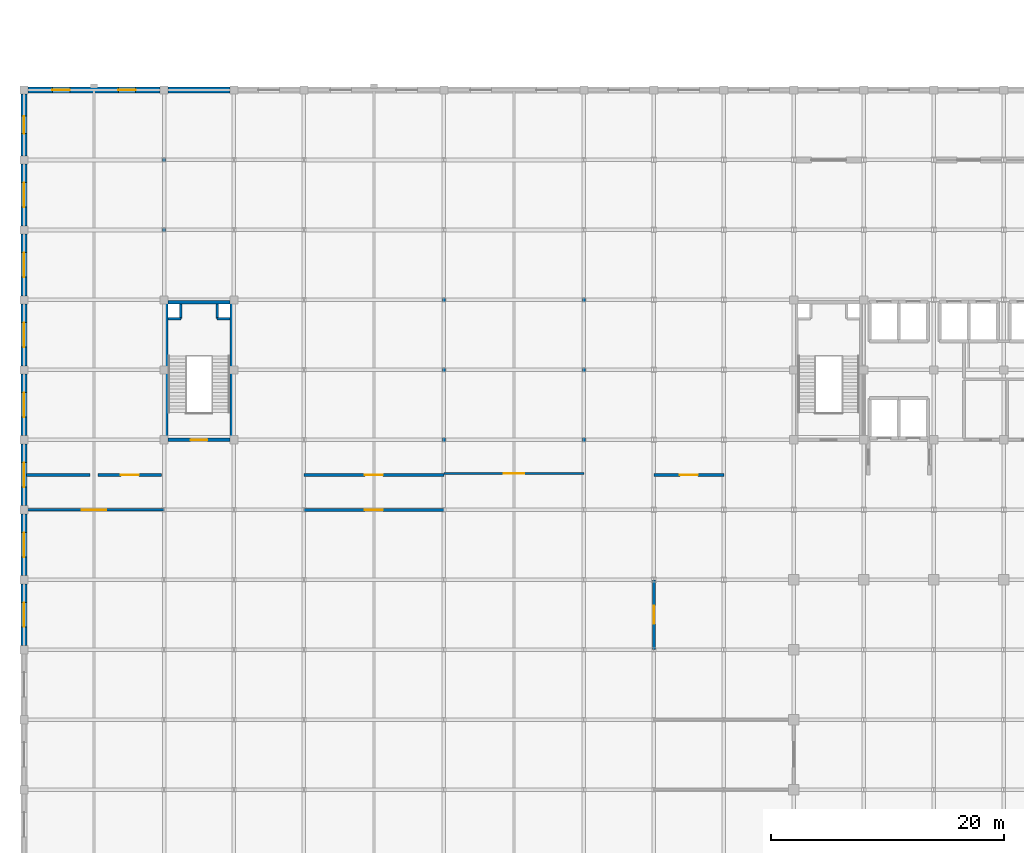
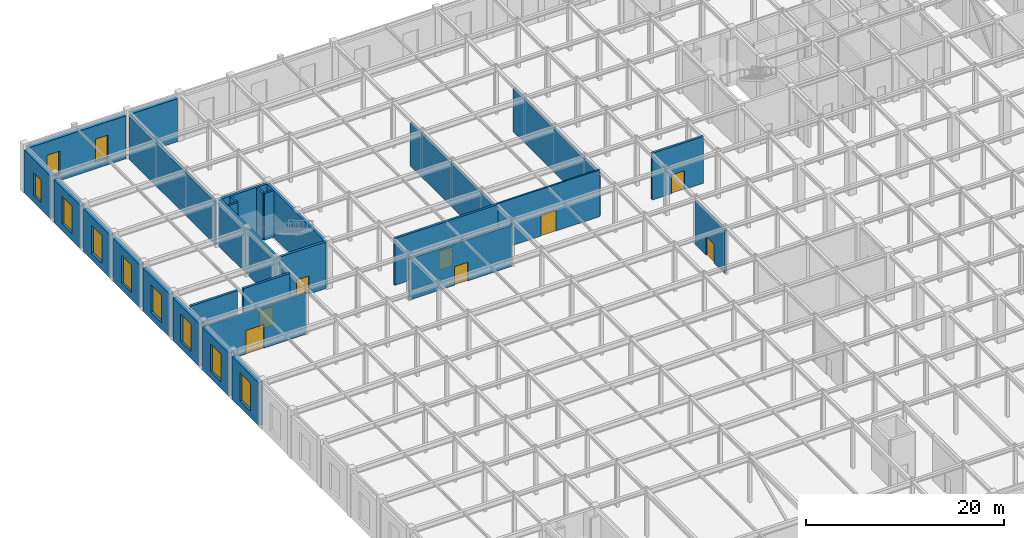
# One storey, part 43 of 51: 29 walls, 10 windows, 8 doors, 18 openings.
"""IFC4 building model written with IfcOpenShell, lengths in metres."""

from ifc_helpers import new_model, si_unit, direction, frame, frame_2d, origin, place, context, subcontext, project, spatial, rectangle, extrude, material, layer, layer_set, type_object, element, fill, save


model = new_model("IFC4")

# Units and contexts
model_context = context("Model", 3, precision=1e-05, world=origin(), true_north=direction((0.0, 1.0)))
body_context = subcontext(model_context, "Body", "Model", "MODEL_VIEW")
ifc_project = project(units=[si_unit("LENGTHUNIT", "METRE"), si_unit("AREAUNIT", "SQUARE_METRE"), si_unit("VOLUMEUNIT", "CUBIC_METRE"), si_unit("PLANEANGLEUNIT", "RADIAN"), si_unit("MASSUNIT", "GRAM", prefix="KILO")], contexts=[model_context])

# Site, building, storey
site_placement = place(None, origin())
site = spatial("IfcSite", under=ifc_project, at=site_placement, CompositionType="ELEMENT")
building_placement = place(site_placement, origin())
building = spatial("IfcBuilding", under=site, at=building_placement, Name="Zlatovratsky Civic Hall", CompositionType="ELEMENT")
storey_placement = place(building_placement, origin())
storey = spatial("IfcBuildingStorey", under=building, at=storey_placement, Name="L01", CompositionType="ELEMENT", Elevation=0.0)

# Wall, opening, door
ifc_material_1 = material(Name="Acoustic ceramic blockwork", Category="masonry")
ifc_layer_1 = layer(ifc_material_1, 0.179931640625)
ifc_layer_set_1 = layer_set([ifc_layer_1], Name="Acoustic ceramic blockwork")
wall_type_1 = type_object("IfcWallType", Name="Wall_AcousticChamberPartition_180", PredefinedType="PARTITIONING", material=ifc_layer_set_1)
wall_1_placement = place(storey_placement, frame((0.0, 78.0, 0.0), z_axis=(0.0, 0.0, 1.0), x_axis=(1.0, 0.0, 0.0)))
wall_1 = element("IfcWall", 1, at=wall_1_placement, inside=storey, type_object=wall_type_1, Name="WL-6069", PredefinedType="PARTITIONING", context=body_context, shape_type="SweptSolid", body=[
    extrude(rectangle(XDim=12.0, YDim=0.179931640625, at=frame_2d((6.0, 0.0))), origin(), (0.0, 0.0, 1.0), 5.076904296875),
])
opening_1_placement = place(wall_1_placement, frame((4.949951171875, 0.0, 0.0)))
opening_1 = element("IfcOpeningElement", 2, at=opening_1_placement, cuts=wall_1, Name="Opening D-11", PredefinedType="OPENING", context=body_context, shape_type="SweptSolid", body=[
    extrude(rectangle(XDim=2.10009765625, YDim=2.89990234375, at=frame_2d((1.050048828125, 1.449951171875))), frame((0.0, 0.10498046875, 0.0), z_axis=(0.0, -1.0, 0.0), x_axis=(1.0, 0.0, 0.0)), (0.0, 0.0, 1.0), 0.209716796875),
])
ifc_material_2 = material(Name="Solid oak joinery in steel frame", Category="steel")
door_type_1 = type_object("IfcDoorType", Name="Door_ChamberFoyerDouble_2100x2900", OperationType="DOUBLE_DOOR_SINGLE_SWING", PredefinedType="DOOR", material=ifc_material_2)
door_1_placement = place(opening_1_placement, origin())
door_1 = element("IfcDoor", 3, at=door_1_placement, inside=storey, type_object=door_type_1, Name="DR-5230", OperationType="DOUBLE_DOOR_SINGLE_SWING", OverallHeight=2.89990234375, OverallWidth=2.10009765625, PredefinedType="DOOR", context=body_context, shape_type="SweptSolid", body=[
    extrude(rectangle(XDim=2.10009765625, YDim=2.89990234375, at=frame_2d((1.050048828125, 1.449951171875))), frame((0.0, 0.02490234375, 0.0), z_axis=(0.0, -1.0, 0.0), x_axis=(1.0, 0.0, 0.0)), (0.0, 0.0, 1.0), 0.050048828125),
])
fill(opening_1, door_1)

wall_2_placement = place(storey_placement, frame((36.0, 81.10009765625, 0.0), z_axis=(0.0, 0.0, 1.0), x_axis=(1.0, 0.0, 0.0)))
wall_2 = element("IfcWall", 4, at=wall_2_placement, inside=storey, type_object=wall_type_1, Name="WL-6071", PredefinedType="PARTITIONING", context=body_context, shape_type="SweptSolid", body=[
    extrude(rectangle(XDim=12.0, YDim=0.179931640625, at=frame_2d((6.0, 0.0))), origin(), (0.0, 0.0, 1.0), 5.760009765625),
])
opening_2_placement = place(wall_2_placement, frame((5.125, 0.0, 0.0)))
opening_2 = element("IfcOpeningElement", 5, at=opening_2_placement, cuts=wall_2, Name="Opening D-13", PredefinedType="OPENING", context=body_context, shape_type="SweptSolid", body=[
    extrude(rectangle(XDim=1.75, YDim=2.550048828125, at=frame_2d((0.875, 1.27490234375))), frame((0.0, 0.10498046875, 0.0), z_axis=(0.0, -1.0, 0.0), x_axis=(1.0, 0.0, 0.0)), (0.0, 0.0, 1.0), 0.209716796875),
])
door_type_2 = type_object("IfcDoorType", Name="Door_CommitteeSuiteDouble_1750x2550", OperationType="DOUBLE_DOOR_SINGLE_SWING", PredefinedType="DOOR", material=ifc_material_2)
door_2_placement = place(opening_2_placement, origin())
door_2 = element("IfcDoor", 6, at=door_2_placement, inside=storey, type_object=door_type_2, Name="DR-5232", OperationType="DOUBLE_DOOR_SINGLE_SWING", OverallHeight=2.550048828125, OverallWidth=1.75, PredefinedType="DOOR", context=body_context, shape_type="SweptSolid", body=[
    extrude(rectangle(XDim=1.75, YDim=2.550048828125, at=frame_2d((0.875, 1.27490234375))), frame((0.0, 0.02490234375, 0.0), z_axis=(0.0, -1.0, 0.0), x_axis=(1.0, 0.0, 0.0)), (0.0, 0.0, 1.0), 0.050048828125),
])
fill(opening_2, door_2)

ifc_layer_2 = layer(ifc_material_1, 0.260009765625)
ifc_layer_set_2 = layer_set([ifc_layer_2], Name="Acoustic ceramic blockwork")
wall_type_2 = type_object("IfcWallType", Name="Wall_ArchiveCompartment_260", PredefinedType="PARTITIONING", material=ifc_layer_set_2)
wall_3_placement = place(storey_placement, frame((24.0, 78.0, 0.0), z_axis=(0.0, 0.0, 1.0), x_axis=(1.0, 0.0, 0.0)))
wall_3 = element("IfcWall", 7, at=wall_3_placement, inside=storey, type_object=wall_type_2, Name="WL-6076", PredefinedType="PARTITIONING", context=body_context, shape_type="SweptSolid", body=[
    extrude(rectangle(XDim=12.0, YDim=0.260009765625, at=frame_2d((6.0, 0.0))), origin(), (0.0, 0.0, 1.0), 5.076904296875),
])
opening_3_placement = place(wall_3_placement, frame((5.22509765625, 0.0, 0.0)))
opening_3 = element("IfcOpeningElement", 8, at=opening_3_placement, cuts=wall_3, Name="Opening D-15", PredefinedType="OPENING", context=body_context, shape_type="SweptSolid", body=[
    extrude(rectangle(XDim=1.550048828125, YDim=2.300048828125, at=frame_2d((0.77490234375, 1.14990234375))), frame((0.0, 0.14501953125, 0.0), z_axis=(0.0, -1.0, 0.0), x_axis=(1.0, 0.0, 0.0)), (0.0, 0.0, 1.0), 0.289794921875),
])
ifc_material_3 = material(Name="Insulated painted fire-rated steel leaf", Category="steel")
door_type_3 = type_object("IfcDoorType", Name="Door_CompactArchiveFire_1550x2300", OperationType="DOUBLE_DOOR_SINGLE_SWING", PredefinedType="DOOR", material=ifc_material_3)
door_3_placement = place(opening_3_placement, origin())
door_3 = element("IfcDoor", 9, at=door_3_placement, inside=storey, type_object=door_type_3, Name="DR-5237", OperationType="DOUBLE_DOOR_SINGLE_SWING", OverallHeight=2.300048828125, OverallWidth=1.550048828125, PredefinedType="DOOR", context=body_context, shape_type="SweptSolid", body=[
    extrude(rectangle(XDim=1.550048828125, YDim=2.300048828125, at=frame_2d((0.77490234375, 1.14990234375))), frame((0.0, 0.02490234375, 0.0), z_axis=(0.0, -1.0, 0.0), x_axis=(1.0, 0.0, 0.0)), (0.0, 0.0, 1.0), 0.050048828125),
])
fill(opening_3, door_3)

wall_4_placement = place(storey_placement, frame((24.0, 81.0, 0.0), z_axis=(0.0, 0.0, 1.0), x_axis=(1.0, 0.0, 0.0)))
wall_4 = element("IfcWall", 10, at=wall_4_placement, inside=storey, type_object=wall_type_2, Name="WL-6078", PredefinedType="PARTITIONING", context=body_context, shape_type="SweptSolid", body=[
    extrude(rectangle(XDim=12.0, YDim=0.260009765625, at=frame_2d((6.0, 0.0))), origin(), (0.0, 0.0, 1.0), 5.760009765625),
])
opening_4_placement = place(wall_4_placement, frame((5.22509765625, 0.0, 0.0)))
opening_4 = element("IfcOpeningElement", 11, at=opening_4_placement, cuts=wall_4, Name="Opening D-15", PredefinedType="OPENING", context=body_context, shape_type="SweptSolid", body=[
    extrude(rectangle(XDim=1.550048828125, YDim=2.300048828125, at=frame_2d((0.77490234375, 1.14990234375))), frame((0.0, 0.14501953125, 0.0), z_axis=(0.0, -1.0, 0.0), x_axis=(1.0, 0.0, 0.0)), (0.0, 0.0, 1.0), 0.289794921875),
])
door_4_placement = place(opening_4_placement, origin())
door_4 = element("IfcDoor", 12, at=door_4_placement, inside=storey, type_object=door_type_3, Name="DR-5239", OperationType="DOUBLE_DOOR_SINGLE_SWING", OverallHeight=2.300048828125, OverallWidth=1.550048828125, PredefinedType="DOOR", context=body_context, shape_type="SweptSolid", body=[
    extrude(rectangle(XDim=1.550048828125, YDim=2.300048828125, at=frame_2d((0.77490234375, 1.14990234375))), frame((0.0, 0.02490234375, 0.0), z_axis=(0.0, -1.0, 0.0), x_axis=(1.0, 0.0, 0.0)), (0.0, 0.0, 1.0), 0.050048828125),
])
fill(opening_4, door_4)

wall_5_placement = place(storey_placement, frame((54.0, 81.0, 0.0), z_axis=(0.0, 0.0, 1.0), x_axis=(1.0, 0.0, 0.0)))
wall_5 = element("IfcWall", 13, at=wall_5_placement, inside=storey, type_object=wall_type_2, Name="WL-6079", PredefinedType="PARTITIONING", context=body_context, shape_type="SweptSolid", body=[
    extrude(rectangle(XDim=6.0, YDim=0.260009765625, at=frame_2d((3.0, 0.0))), origin(), (0.0, 0.0, 1.0), 5.760009765625),
])
opening_5_placement = place(wall_5_placement, frame((2.22509765625, 0.0, 0.0)))
opening_5 = element("IfcOpeningElement", 14, at=opening_5_placement, cuts=wall_5, Name="Opening D-15", PredefinedType="OPENING", context=body_context, shape_type="SweptSolid", body=[
    extrude(rectangle(XDim=1.550048828125, YDim=2.300048828125, at=frame_2d((0.77490234375, 1.14990234375))), frame((0.0, 0.14501953125, 0.0), z_axis=(0.0, -1.0, 0.0), x_axis=(1.0, 0.0, 0.0)), (0.0, 0.0, 1.0), 0.289794921875),
])
door_5_placement = place(opening_5_placement, origin())
door_5 = element("IfcDoor", 15, at=door_5_placement, inside=storey, type_object=door_type_3, Name="DR-5240", OperationType="DOUBLE_DOOR_SINGLE_SWING", OverallHeight=2.300048828125, OverallWidth=1.550048828125, PredefinedType="DOOR", context=body_context, shape_type="SweptSolid", body=[
    extrude(rectangle(XDim=1.550048828125, YDim=2.300048828125, at=frame_2d((0.77490234375, 1.14990234375))), frame((0.0, 0.02490234375, 0.0), z_axis=(0.0, -1.0, 0.0), x_axis=(1.0, 0.0, 0.0)), (0.0, 0.0, 1.0), 0.050048828125),
])
fill(opening_5, door_5)

wall_6_placement = place(storey_placement, frame((54.0, 66.0, 0.0), z_axis=(0.0, 0.0, 1.0), x_axis=(0.0, 1.0, 0.0)))
wall_6 = element("IfcWall", 16, at=wall_6_placement, inside=storey, type_object=wall_type_2, Name="WL-6083", PredefinedType="PARTITIONING", context=body_context, shape_type="SweptSolid", body=[
    extrude(rectangle(XDim=6.0, YDim=0.260009765625, at=frame_2d((3.0, 0.0))), origin(), (0.0, 0.0, 1.0), 5.320068359375),
])
opening_6_placement = place(wall_6_placement, frame((2.22509765625, 0.0, 0.0)))
opening_6 = element("IfcOpeningElement", 17, at=opening_6_placement, cuts=wall_6, Name="Opening D-15", PredefinedType="OPENING", context=body_context, shape_type="SweptSolid", body=[
    extrude(rectangle(XDim=1.550048828125, YDim=2.300048828125, at=frame_2d((0.77490234375, 1.14990234375))), frame((0.0, 0.14501953125, 0.0), z_axis=(0.0, -1.0, 0.0), x_axis=(1.0, 0.0, 0.0)), (0.0, 0.0, 1.0), 0.289794921875),
])
door_6_placement = place(opening_6_placement, origin())
door_6 = element("IfcDoor", 18, at=door_6_placement, inside=storey, type_object=door_type_3, Name="DR-5244", OperationType="DOUBLE_DOOR_SINGLE_SWING", OverallHeight=2.300048828125, OverallWidth=1.550048828125, PredefinedType="DOOR", context=body_context, shape_type="SweptSolid", body=[
    extrude(rectangle(XDim=1.550048828125, YDim=2.300048828125, at=frame_2d((0.77490234375, 1.14990234375))), frame((0.0, 0.02490234375, 0.0), z_axis=(0.0, -1.0, 0.0), x_axis=(1.0, 0.0, 0.0)), (0.0, 0.0, 1.0), 0.050048828125),
])
fill(opening_6, door_6)

wall_7_placement = place(storey_placement, frame((6.35009765625, 81.0, 0.0), z_axis=(0.0, 0.0, 1.0), x_axis=(1.0, 0.0, 0.0)))
wall_7 = element("IfcWall", 19, at=wall_7_placement, inside=storey, type_object=wall_type_2, Name="WL-6086", PredefinedType="PARTITIONING", context=body_context, shape_type="SweptSolid", body=[
    extrude(rectangle(XDim=5.449951171875, YDim=0.260009765625, at=frame_2d((2.72509765625, 0.0))), origin(), (0.0, 0.0, 1.0), 5.760009765625),
])
opening_7_placement = place(wall_7_placement, frame((1.949951171875, 0.0, 0.0)))
opening_7 = element("IfcOpeningElement", 20, at=opening_7_placement, cuts=wall_7, Name="Opening D-15", PredefinedType="OPENING", context=body_context, shape_type="SweptSolid", body=[
    extrude(rectangle(XDim=1.550048828125, YDim=2.300048828125, at=frame_2d((0.77490234375, 1.14990234375))), frame((0.0, 0.14501953125, 0.0), z_axis=(0.0, -1.0, 0.0), x_axis=(1.0, 0.0, 0.0)), (0.0, 0.0, 1.0), 0.289794921875),
])
door_7_placement = place(opening_7_placement, origin())
door_7 = element("IfcDoor", 21, at=door_7_placement, inside=storey, type_object=door_type_3, Name="DR-5247", OperationType="DOUBLE_DOOR_SINGLE_SWING", OverallHeight=2.300048828125, OverallWidth=1.550048828125, PredefinedType="DOOR", context=body_context, shape_type="SweptSolid", body=[
    extrude(rectangle(XDim=1.550048828125, YDim=2.300048828125, at=frame_2d((0.77490234375, 1.14990234375))), frame((0.0, 0.02490234375, 0.0), z_axis=(0.0, -1.0, 0.0), x_axis=(1.0, 0.0, 0.0)), (0.0, 0.0, 1.0), 0.050048828125),
])
fill(opening_7, door_7)

# Walls
for number, where, z_axis, x_axis, name in (
    (22, (36.0, 81.14990234375, 0.0), (0.0, 0.0, 1.0), (0.0, 1.0, 0.0), "WL-6091"),
    (23, (48.0, 81.14990234375, 0.0), (0.0, 0.0, 1.0), (0.0, 1.0, 0.0), "WL-6092"),
):
    element("IfcWall", number, at=place(storey_placement, frame(where, z_axis=z_axis, x_axis=x_axis)), inside=storey, type_object=wall_type_2, Name=name, PredefinedType="PARTITIONING", context=body_context, shape_type="SweptSolid", body=[
        extrude(rectangle(XDim=17.2001953125, YDim=0.260009765625, at=frame_2d((8.60009765625, 0.0))), origin(), (0.0, 0.0, 1.0), 5.320068359375),
    ])
wall_8_placement = place(storey_placement, frame((0.199951171875, 81.0, 0.0), z_axis=(0.0, 0.0, 1.0), x_axis=(1.0, 0.0, 0.0)))
element("IfcWall", 24, at=wall_8_placement, inside=storey, type_object=wall_type_2, Name="WL-6099", PredefinedType="PARTITIONING", context=body_context, shape_type="SweptSolid", body=[
    extrude(rectangle(XDim=5.449951171875, YDim=0.260009765625, at=frame_2d((2.72509765625, 0.0))), origin(), (0.0, 0.0, 1.0), 5.760009765625),
])
wall_9_placement = place(storey_placement, frame((12.0, 96.199951171875, 0.0), z_axis=(0.0, 0.0, 1.0), x_axis=(0.0, 1.0, 0.0)))
element("IfcWall", 25, at=wall_9_placement, inside=storey, type_object=wall_type_2, Name="WL-6101", PredefinedType="PARTITIONING", context=body_context, shape_type="SweptSolid", body=[
    extrude(rectangle(XDim=17.300048828125, YDim=0.260009765625, at=frame_2d((8.64990234375, 0.0))), origin(), (0.0, 0.0, 1.0), 5.320068359375),
])

# Wall, openings, windows
ifc_layer_3 = layer(ifc_material_1, 0.39990234375, Name="Backing")
ifc_material_4 = material(Name="Polished Karelian granite ashlar", Category="masonry")
ifc_layer_4 = layer(ifc_material_4, 0.139892578125, Name="Finish")
ifc_layer_set_3 = layer_set([ifc_layer_3, ifc_layer_4], Name="Acoustic ceramic blockwork")
wall_type_3 = type_object("IfcWallType", Name="Wall_PodiumGraniteArcade_540", PredefinedType="SOLIDWALL", material=ifc_layer_set_3)
wall_10_placement = place(storey_placement, frame((0.35009765625, 114.0, 0.0), z_axis=(0.0, 0.0, 1.0), x_axis=(1.0, 0.0, 0.0)))
wall_10 = element("IfcWall", 26, at=wall_10_placement, inside=storey, type_object=wall_type_3, Name="WL-0104", PredefinedType="SOLIDWALL", context=body_context, shape_type="SweptSolid", body=[
    extrude(rectangle(XDim=11.2998046875, YDim=0.5400390625, at=frame_2d((5.64990234375, 0.0))), origin(), (0.0, 0.0, 1.0), 5.31005859375),
])
opening_8_placement = place(wall_10_placement, frame((2.074951171875, 0.0, 0.85009765625)))
opening_8 = element("IfcOpeningElement", 27, at=opening_8_placement, cuts=wall_10, Name="Opening WN-27", PredefinedType="OPENING", context=body_context, shape_type="SweptSolid", body=[
    extrude(rectangle(XDim=1.5, YDim=2.800048828125, at=frame_2d((0.75, 1.39990234375))), frame((0.0, 0.284912109375, 0.0), z_axis=(0.0, -1.0, 0.0), x_axis=(1.0, 0.0, 0.0)), (0.0, 0.0, 1.0), 0.56982421875),
])
opening_9_placement = place(wall_10_placement, frame((7.72509765625, 0.0, 0.85009765625)))
opening_9 = element("IfcOpeningElement", 28, at=opening_9_placement, cuts=wall_10, Name="Opening WN-27", PredefinedType="OPENING", context=body_context, shape_type="SweptSolid", body=[
    extrude(rectangle(XDim=1.5, YDim=2.800048828125, at=frame_2d((0.75, 1.39990234375))), frame((0.0, 0.284912109375, 0.0), z_axis=(0.0, -1.0, 0.0), x_axis=(1.0, 0.0, 0.0)), (0.0, 0.0, 1.0), 0.56982421875),
])
ifc_material_5 = material(Name="Low-E laminated double glazing", Category="glass")
window_type_1 = type_object("IfcWindowType", Name="Window_CornerBastionPodium_1500x2800", PartitioningType="SINGLE_PANEL", PredefinedType="WINDOW", material=ifc_material_5)
window_1_placement = place(opening_8_placement, origin())
window_1 = element("IfcWindow", 29, at=window_1_placement, inside=storey, type_object=window_type_1, Name="WN-0019", OverallHeight=2.800048828125, OverallWidth=1.5, PartitioningType="SINGLE_PANEL", PredefinedType="WINDOW", context=body_context, shape_type="SweptSolid", body=[
    extrude(rectangle(XDim=1.5, YDim=2.800048828125, at=frame_2d((0.75, 1.39990234375))), frame((0.0, 0.030029296875, 0.0), z_axis=(0.0, -1.0, 0.0), x_axis=(1.0, 0.0, 0.0)), (0.0, 0.0, 1.0), 0.06005859375),
])
fill(opening_8, window_1)
window_2_placement = place(opening_9_placement, origin())
window_2 = element("IfcWindow", 30, at=window_2_placement, inside=storey, type_object=window_type_1, Name="WN-0020", OverallHeight=2.800048828125, OverallWidth=1.5, PartitioningType="SINGLE_PANEL", PredefinedType="WINDOW", context=body_context, shape_type="SweptSolid", body=[
    extrude(rectangle(XDim=1.5, YDim=2.800048828125, at=frame_2d((0.75, 1.39990234375))), frame((0.0, 0.030029296875, 0.0), z_axis=(0.0, -1.0, 0.0), x_axis=(1.0, 0.0, 0.0)), (0.0, 0.0, 1.0), 0.06005859375),
])
fill(opening_9, window_2)

# Wall
wall_11_placement = place(storey_placement, frame((12.35009765625, 114.0, 0.0), z_axis=(0.0, 0.0, 1.0), x_axis=(1.0, 0.0, 0.0)))
element("IfcWall", 31, at=wall_11_placement, inside=storey, type_object=wall_type_3, Name="WL-0105", PredefinedType="SOLIDWALL", context=body_context, shape_type="SweptSolid", body=[
    extrude(rectangle(XDim=5.2998046875, YDim=0.5400390625, at=frame_2d((2.64990234375, 0.0))), origin(), (0.0, 0.0, 1.0), 5.31005859375),
])

# Wall, opening, window
wall_12_placement = place(storey_placement, frame((0.0, 66.35009765625, 0.0), z_axis=(0.0, 0.0, 1.0), x_axis=(0.0, 1.0, 0.0)))
wall_12 = element("IfcWall", 32, at=wall_12_placement, inside=storey, type_object=wall_type_3, Name="WL-0142", PredefinedType="SOLIDWALL", context=body_context, shape_type="SweptSolid", body=[
    extrude(rectangle(XDim=5.2998046875, YDim=0.5400390625, at=frame_2d((2.64990234375, 0.0))), origin(), (0.0, 0.0, 1.0), 5.31005859375),
])
opening_10_placement = place(wall_12_placement, frame((1.60009765625, 0.0, 0.85009765625)))
opening_10 = element("IfcOpeningElement", 33, at=opening_10_placement, cuts=wall_12, Name="Opening WN-02", PredefinedType="OPENING", context=body_context, shape_type="SweptSolid", body=[
    extrude(rectangle(XDim=2.10009765625, YDim=3.39990234375, at=frame_2d((1.050048828125, 1.699951171875))), frame((0.0, 0.284912109375, 0.0), z_axis=(0.0, -1.0, 0.0), x_axis=(1.0, 0.0, 0.0)), (0.0, 0.0, 1.0), 0.56982421875),
])
window_type_2 = type_object("IfcWindowType", Name="Window_GroundCornerPavilion_2100x3400", PartitioningType="SINGLE_PANEL", PredefinedType="WINDOW", material=ifc_material_5)
window_3_placement = place(opening_10_placement, origin())
window_3 = element("IfcWindow", 34, at=window_3_placement, inside=storey, type_object=window_type_2, Name="WN-0050", OverallHeight=3.39990234375, OverallWidth=2.10009765625, PartitioningType="SINGLE_PANEL", PredefinedType="WINDOW", context=body_context, shape_type="SweptSolid", body=[
    extrude(rectangle(XDim=2.10009765625, YDim=3.39990234375, at=frame_2d((1.050048828125, 1.699951171875))), frame((0.0, 0.030029296875, 0.0), z_axis=(0.0, -1.0, 0.0), x_axis=(1.0, 0.0, 0.0)), (0.0, 0.0, 1.0), 0.06005859375),
])
fill(opening_10, window_3)

wall_13_placement = place(storey_placement, frame((0.0, 72.35009765625, 0.0), z_axis=(0.0, 0.0, 1.0), x_axis=(0.0, 1.0, 0.0)))
wall_13 = element("IfcWall", 35, at=wall_13_placement, inside=storey, type_object=wall_type_3, Name="WL-0143", PredefinedType="SOLIDWALL", context=body_context, shape_type="SweptSolid", body=[
    extrude(rectangle(XDim=5.2998046875, YDim=0.5400390625, at=frame_2d((2.64990234375, 0.0))), origin(), (0.0, 0.0, 1.0), 5.31005859375),
])
opening_11_placement = place(wall_13_placement, frame((1.60009765625, 0.0, 0.85009765625)))
opening_11 = element("IfcOpeningElement", 36, at=opening_11_placement, cuts=wall_13, Name="Opening WN-02", PredefinedType="OPENING", context=body_context, shape_type="SweptSolid", body=[
    extrude(rectangle(XDim=2.10009765625, YDim=3.39990234375, at=frame_2d((1.050048828125, 1.699951171875))), frame((0.0, 0.284912109375, 0.0), z_axis=(0.0, -1.0, 0.0), x_axis=(1.0, 0.0, 0.0)), (0.0, 0.0, 1.0), 0.56982421875),
])
window_4_placement = place(opening_11_placement, origin())
window_4 = element("IfcWindow", 37, at=window_4_placement, inside=storey, type_object=window_type_2, Name="WN-0051", OverallHeight=3.39990234375, OverallWidth=2.10009765625, PartitioningType="SINGLE_PANEL", PredefinedType="WINDOW", context=body_context, shape_type="SweptSolid", body=[
    extrude(rectangle(XDim=2.10009765625, YDim=3.39990234375, at=frame_2d((1.050048828125, 1.699951171875))), frame((0.0, 0.030029296875, 0.0), z_axis=(0.0, -1.0, 0.0), x_axis=(1.0, 0.0, 0.0)), (0.0, 0.0, 1.0), 0.06005859375),
])
fill(opening_11, window_4)

wall_14_placement = place(storey_placement, frame((0.0, 78.35009765625, 0.0), z_axis=(0.0, 0.0, 1.0), x_axis=(0.0, 1.0, 0.0)))
wall_14 = element("IfcWall", 38, at=wall_14_placement, inside=storey, type_object=wall_type_3, Name="WL-0144", PredefinedType="SOLIDWALL", context=body_context, shape_type="SweptSolid", body=[
    extrude(rectangle(XDim=5.2998046875, YDim=0.5400390625, at=frame_2d((2.64990234375, 0.0))), origin(), (0.0, 0.0, 1.0), 5.31005859375),
])
opening_12_placement = place(wall_14_placement, frame((1.60009765625, 0.0, 0.85009765625)))
opening_12 = element("IfcOpeningElement", 39, at=opening_12_placement, cuts=wall_14, Name="Opening WN-02", PredefinedType="OPENING", context=body_context, shape_type="SweptSolid", body=[
    extrude(rectangle(XDim=2.10009765625, YDim=3.39990234375, at=frame_2d((1.050048828125, 1.699951171875))), frame((0.0, 0.284912109375, 0.0), z_axis=(0.0, -1.0, 0.0), x_axis=(1.0, 0.0, 0.0)), (0.0, 0.0, 1.0), 0.56982421875),
])
window_5_placement = place(opening_12_placement, origin())
window_5 = element("IfcWindow", 40, at=window_5_placement, inside=storey, type_object=window_type_2, Name="WN-0052", OverallHeight=3.39990234375, OverallWidth=2.10009765625, PartitioningType="SINGLE_PANEL", PredefinedType="WINDOW", context=body_context, shape_type="SweptSolid", body=[
    extrude(rectangle(XDim=2.10009765625, YDim=3.39990234375, at=frame_2d((1.050048828125, 1.699951171875))), frame((0.0, 0.030029296875, 0.0), z_axis=(0.0, -1.0, 0.0), x_axis=(1.0, 0.0, 0.0)), (0.0, 0.0, 1.0), 0.06005859375),
])
fill(opening_12, window_5)

wall_15_placement = place(storey_placement, frame((0.0, 84.35009765625, 0.0), z_axis=(0.0, 0.0, 1.0), x_axis=(0.0, 1.0, 0.0)))
wall_15 = element("IfcWall", 41, at=wall_15_placement, inside=storey, type_object=wall_type_3, Name="WL-0145", PredefinedType="SOLIDWALL", context=body_context, shape_type="SweptSolid", body=[
    extrude(rectangle(XDim=5.2998046875, YDim=0.5400390625, at=frame_2d((2.64990234375, 0.0))), origin(), (0.0, 0.0, 1.0), 5.31005859375),
])
opening_13_placement = place(wall_15_placement, frame((1.60009765625, 0.0, 0.85009765625)))
opening_13 = element("IfcOpeningElement", 42, at=opening_13_placement, cuts=wall_15, Name="Opening WN-02", PredefinedType="OPENING", context=body_context, shape_type="SweptSolid", body=[
    extrude(rectangle(XDim=2.10009765625, YDim=3.39990234375, at=frame_2d((1.050048828125, 1.699951171875))), frame((0.0, 0.284912109375, 0.0), z_axis=(0.0, -1.0, 0.0), x_axis=(1.0, 0.0, 0.0)), (0.0, 0.0, 1.0), 0.56982421875),
])
window_6_placement = place(opening_13_placement, origin())
window_6 = element("IfcWindow", 43, at=window_6_placement, inside=storey, type_object=window_type_2, Name="WN-0053", OverallHeight=3.39990234375, OverallWidth=2.10009765625, PartitioningType="SINGLE_PANEL", PredefinedType="WINDOW", context=body_context, shape_type="SweptSolid", body=[
    extrude(rectangle(XDim=2.10009765625, YDim=3.39990234375, at=frame_2d((1.050048828125, 1.699951171875))), frame((0.0, 0.030029296875, 0.0), z_axis=(0.0, -1.0, 0.0), x_axis=(1.0, 0.0, 0.0)), (0.0, 0.0, 1.0), 0.06005859375),
])
fill(opening_13, window_6)

wall_16_placement = place(storey_placement, frame((0.0, 90.35009765625, 0.0), z_axis=(0.0, 0.0, 1.0), x_axis=(0.0, 1.0, 0.0)))
wall_16 = element("IfcWall", 44, at=wall_16_placement, inside=storey, type_object=wall_type_3, Name="WL-0146", PredefinedType="SOLIDWALL", context=body_context, shape_type="SweptSolid", body=[
    extrude(rectangle(XDim=5.2998046875, YDim=0.5400390625, at=frame_2d((2.64990234375, 0.0))), origin(), (0.0, 0.0, 1.0), 5.31005859375),
])
opening_14_placement = place(wall_16_placement, frame((1.60009765625, 0.0, 0.85009765625)))
opening_14 = element("IfcOpeningElement", 45, at=opening_14_placement, cuts=wall_16, Name="Opening WN-02", PredefinedType="OPENING", context=body_context, shape_type="SweptSolid", body=[
    extrude(rectangle(XDim=2.10009765625, YDim=3.39990234375, at=frame_2d((1.050048828125, 1.699951171875))), frame((0.0, 0.284912109375, 0.0), z_axis=(0.0, -1.0, 0.0), x_axis=(1.0, 0.0, 0.0)), (0.0, 0.0, 1.0), 0.56982421875),
])
window_7_placement = place(opening_14_placement, origin())
window_7 = element("IfcWindow", 46, at=window_7_placement, inside=storey, type_object=window_type_2, Name="WN-0054", OverallHeight=3.39990234375, OverallWidth=2.10009765625, PartitioningType="SINGLE_PANEL", PredefinedType="WINDOW", context=body_context, shape_type="SweptSolid", body=[
    extrude(rectangle(XDim=2.10009765625, YDim=3.39990234375, at=frame_2d((1.050048828125, 1.699951171875))), frame((0.0, 0.030029296875, 0.0), z_axis=(0.0, -1.0, 0.0), x_axis=(1.0, 0.0, 0.0)), (0.0, 0.0, 1.0), 0.06005859375),
])
fill(opening_14, window_7)

wall_17_placement = place(storey_placement, frame((0.0, 96.35009765625, 0.0), z_axis=(0.0, 0.0, 1.0), x_axis=(0.0, 1.0, 0.0)))
wall_17 = element("IfcWall", 47, at=wall_17_placement, inside=storey, type_object=wall_type_3, Name="WL-0147", PredefinedType="SOLIDWALL", context=body_context, shape_type="SweptSolid", body=[
    extrude(rectangle(XDim=5.2998046875, YDim=0.5400390625, at=frame_2d((2.64990234375, 0.0))), origin(), (0.0, 0.0, 1.0), 5.31005859375),
])
opening_15_placement = place(wall_17_placement, frame((1.60009765625, 0.0, 0.85009765625)))
opening_15 = element("IfcOpeningElement", 48, at=opening_15_placement, cuts=wall_17, Name="Opening WN-02", PredefinedType="OPENING", context=body_context, shape_type="SweptSolid", body=[
    extrude(rectangle(XDim=2.10009765625, YDim=3.39990234375, at=frame_2d((1.050048828125, 1.699951171875))), frame((0.0, 0.284912109375, 0.0), z_axis=(0.0, -1.0, 0.0), x_axis=(1.0, 0.0, 0.0)), (0.0, 0.0, 1.0), 0.56982421875),
])
window_8_placement = place(opening_15_placement, origin())
window_8 = element("IfcWindow", 49, at=window_8_placement, inside=storey, type_object=window_type_2, Name="WN-0055", OverallHeight=3.39990234375, OverallWidth=2.10009765625, PartitioningType="SINGLE_PANEL", PredefinedType="WINDOW", context=body_context, shape_type="SweptSolid", body=[
    extrude(rectangle(XDim=2.10009765625, YDim=3.39990234375, at=frame_2d((1.050048828125, 1.699951171875))), frame((0.0, 0.030029296875, 0.0), z_axis=(0.0, -1.0, 0.0), x_axis=(1.0, 0.0, 0.0)), (0.0, 0.0, 1.0), 0.06005859375),
])
fill(opening_15, window_8)

wall_18_placement = place(storey_placement, frame((0.0, 102.35009765625, 0.0), z_axis=(0.0, 0.0, 1.0), x_axis=(0.0, 1.0, 0.0)))
wall_18 = element("IfcWall", 50, at=wall_18_placement, inside=storey, type_object=wall_type_3, Name="WL-0148", PredefinedType="SOLIDWALL", context=body_context, shape_type="SweptSolid", body=[
    extrude(rectangle(XDim=5.2998046875, YDim=0.5400390625, at=frame_2d((2.64990234375, 0.0))), origin(), (0.0, 0.0, 1.0), 5.31005859375),
])
opening_16_placement = place(wall_18_placement, frame((1.60009765625, 0.0, 0.85009765625)))
opening_16 = element("IfcOpeningElement", 51, at=opening_16_placement, cuts=wall_18, Name="Opening WN-02", PredefinedType="OPENING", context=body_context, shape_type="SweptSolid", body=[
    extrude(rectangle(XDim=2.10009765625, YDim=3.39990234375, at=frame_2d((1.050048828125, 1.699951171875))), frame((0.0, 0.284912109375, 0.0), z_axis=(0.0, -1.0, 0.0), x_axis=(1.0, 0.0, 0.0)), (0.0, 0.0, 1.0), 0.56982421875),
])
window_9_placement = place(opening_16_placement, origin())
window_9 = element("IfcWindow", 52, at=window_9_placement, inside=storey, type_object=window_type_2, Name="WN-0056", OverallHeight=3.39990234375, OverallWidth=2.10009765625, PartitioningType="SINGLE_PANEL", PredefinedType="WINDOW", context=body_context, shape_type="SweptSolid", body=[
    extrude(rectangle(XDim=2.10009765625, YDim=3.39990234375, at=frame_2d((1.050048828125, 1.699951171875))), frame((0.0, 0.030029296875, 0.0), z_axis=(0.0, -1.0, 0.0), x_axis=(1.0, 0.0, 0.0)), (0.0, 0.0, 1.0), 0.06005859375),
])
fill(opening_16, window_9)

wall_19_placement = place(storey_placement, frame((0.0, 108.35009765625, 0.0), z_axis=(0.0, 0.0, 1.0), x_axis=(0.0, 1.0, 0.0)))
wall_19 = element("IfcWall", 53, at=wall_19_placement, inside=storey, type_object=wall_type_3, Name="WL-0149", PredefinedType="SOLIDWALL", context=body_context, shape_type="SweptSolid", body=[
    extrude(rectangle(XDim=5.2998046875, YDim=0.5400390625, at=frame_2d((2.64990234375, 0.0))), origin(), (0.0, 0.0, 1.0), 5.31005859375),
])
opening_17_placement = place(wall_19_placement, frame((1.89990234375, 0.0, 0.85009765625)))
opening_17 = element("IfcOpeningElement", 54, at=opening_17_placement, cuts=wall_19, Name="Opening WN-27", PredefinedType="OPENING", context=body_context, shape_type="SweptSolid", body=[
    extrude(rectangle(XDim=1.5, YDim=2.800048828125, at=frame_2d((0.75, 1.39990234375))), frame((0.0, 0.284912109375, 0.0), z_axis=(0.0, -1.0, 0.0), x_axis=(1.0, 0.0, 0.0)), (0.0, 0.0, 1.0), 0.56982421875),
])
window_10_placement = place(opening_17_placement, origin())
window_10 = element("IfcWindow", 55, at=window_10_placement, inside=storey, type_object=window_type_1, Name="WN-0057", OverallHeight=2.800048828125, OverallWidth=1.5, PartitioningType="SINGLE_PANEL", PredefinedType="WINDOW", context=body_context, shape_type="SweptSolid", body=[
    extrude(rectangle(XDim=1.5, YDim=2.800048828125, at=frame_2d((0.75, 1.39990234375))), frame((0.0, 0.030029296875, 0.0), z_axis=(0.0, -1.0, 0.0), x_axis=(1.0, 0.0, 0.0)), (0.0, 0.0, 1.0), 0.06005859375),
])
fill(opening_17, window_10)

# Walls
ifc_layer_5 = layer(ifc_material_1, 0.219970703125)
ifc_layer_set_4 = layer_set([ifc_layer_5], Name="Acoustic ceramic blockwork")
wall_type_4 = type_object("IfcWallType", Name="Wall_SanitaryWetCore_220", PredefinedType="PARTITIONING", material=ifc_layer_set_4)
wall_20_placement = place(storey_placement, frame((13.449951171875, 94.39990234375, 0.0), z_axis=(0.0, 0.0, 1.0), x_axis=(0.0, 1.0, 0.0)))
element("IfcWall", 56, at=wall_20_placement, inside=storey, type_object=wall_type_4, Name="WL-5401", PredefinedType="PARTITIONING", context=body_context, shape_type="SweptSolid", body=[
    extrude(rectangle(XDim=1.25, YDim=0.219970703125, at=frame_2d((0.625, 0.0))), origin(), (0.0, 0.0, 1.0), 5.760009765625),
])
wall_21_placement = place(storey_placement, frame((12.35009765625, 94.39990234375, 0.0), z_axis=(0.0, 0.0, 1.0), x_axis=(1.0, 0.0, 0.0)))
element("IfcWall", 57, at=wall_21_placement, inside=storey, type_object=wall_type_4, Name="WL-5402", PredefinedType="PARTITIONING", context=body_context, shape_type="SweptSolid", body=[
    extrude(rectangle(XDim=1.099853515625, YDim=0.219970703125, at=frame_2d((0.5498046875, 0.0))), origin(), (0.0, 0.0, 1.0), 5.760009765625),
])
wall_22_placement = place(storey_placement, frame((16.550048828125, 94.39990234375, 0.0), z_axis=(0.0, 0.0, 1.0), x_axis=(0.0, 1.0, 0.0)))
element("IfcWall", 58, at=wall_22_placement, inside=storey, type_object=wall_type_4, Name="WL-5403", PredefinedType="PARTITIONING", context=body_context, shape_type="SweptSolid", body=[
    extrude(rectangle(XDim=1.25, YDim=0.219970703125, at=frame_2d((0.625, 0.0))), origin(), (0.0, 0.0, 1.0), 5.760009765625),
])
wall_23_placement = place(storey_placement, frame((16.550048828125, 94.39990234375, 0.0), z_axis=(0.0, 0.0, 1.0), x_axis=(1.0, 0.0, 0.0)))
element("IfcWall", 59, at=wall_23_placement, inside=storey, type_object=wall_type_4, Name="WL-5404", PredefinedType="PARTITIONING", context=body_context, shape_type="SweptSolid", body=[
    extrude(rectangle(XDim=1.099853515625, YDim=0.219970703125, at=frame_2d((0.5498046875, 0.0))), origin(), (0.0, 0.0, 1.0), 5.760009765625),
])

# Wall, opening, door
ifc_material_6 = material(Name="Concrete C35/45 (B40)", Category="concrete")
ifc_layer_6 = layer(ifc_material_6, 0.300048828125)
ifc_layer_set_5 = layer_set([ifc_layer_6], Name="Concrete C35/45 (B40)")
wall_type_5 = type_object("IfcWallType", Name="Wall_StairAndLiftShaft_300", PredefinedType="SHEAR", material=ifc_layer_set_5)
wall_24_placement = place(storey_placement, frame((12.35009765625, 84.0, 0.0), z_axis=(0.0, 0.0, 1.0), x_axis=(1.0, 0.0, 0.0)))
wall_24 = element("IfcWall", 60, at=wall_24_placement, inside=storey, type_object=wall_type_5, Name="WL-5397", PredefinedType="SHEAR", context=body_context, shape_type="SweptSolid", body=[
    extrude(rectangle(XDim=5.2998046875, YDim=0.300048828125, at=frame_2d((2.64990234375, 0.0))), origin(), (0.0, 0.0, 1.0), 5.760009765625),
])
opening_18_placement = place(wall_24_placement, frame((1.925048828125, 0.0, 0.0)))
opening_18 = element("IfcOpeningElement", 61, at=opening_18_placement, cuts=wall_24, Name="Opening D-16", PredefinedType="OPENING", context=body_context, shape_type="SweptSolid", body=[
    extrude(rectangle(XDim=1.449951171875, YDim=2.25, at=frame_2d((0.72509765625, 1.125))), frame((0.0, 0.1650390625, 0.0), z_axis=(0.0, -1.0, 0.0), x_axis=(1.0, 0.0, 0.0)), (0.0, 0.0, 1.0), 0.329833984375),
])
door_type_4 = type_object("IfcDoorType", Name="Door_StairwellFirePodium_1450x2250", OperationType="NOTDEFINED", PredefinedType="DOOR", material=ifc_material_3)
door_8_placement = place(opening_18_placement, origin())
door_8 = element("IfcDoor", 62, at=door_8_placement, inside=storey, type_object=door_type_4, Name="DR-5050", OperationType="SINGLE_SWING_LEFT", OverallHeight=2.25, OverallWidth=1.449951171875, PredefinedType="DOOR", context=body_context, shape_type="SweptSolid", body=[
    extrude(rectangle(XDim=1.449951171875, YDim=2.25, at=frame_2d((0.72509765625, 1.125))), frame((0.0, 0.02490234375, 0.0), z_axis=(0.0, -1.0, 0.0), x_axis=(1.0, 0.0, 0.0)), (0.0, 0.0, 1.0), 0.050048828125),
])
fill(opening_18, door_8)

# Walls
wall_25_placement = place(storey_placement, frame((12.35009765625, 95.800048828125, 0.0), z_axis=(0.0, 0.0, 1.0), x_axis=(1.0, 0.0, 0.0)))
element("IfcWall", 63, at=wall_25_placement, inside=storey, type_object=wall_type_5, Name="WL-5398", PredefinedType="SHEAR", context=body_context, shape_type="SweptSolid", body=[
    extrude(rectangle(XDim=5.2998046875, YDim=0.300048828125, at=frame_2d((2.64990234375, 0.0))), origin(), (0.0, 0.0, 1.0), 5.760009765625),
])
for number, where, z_axis, x_axis, name in (
    (64, (12.199951171875, 84.0, 0.0), (0.0, 0.0, 1.0), (0.0, 1.0, 0.0), "WL-5399"),
    (65, (17.800048828125, 84.0, 0.0), (0.0, 0.0, 1.0), (0.0, 1.0, 0.0), "WL-5400"),
):
    element("IfcWall", number, at=place(storey_placement, frame(where, z_axis=z_axis, x_axis=x_axis)), inside=storey, type_object=wall_type_5, Name=name, PredefinedType="SHEAR", context=body_context, shape_type="SweptSolid", body=[
        extrude(rectangle(XDim=11.800048828125, YDim=0.300048828125, at=frame_2d((5.89990234375, 0.0))), origin(), (0.0, 0.0, 1.0), 5.760009765625),
    ])

save(model, "model.ifc")
